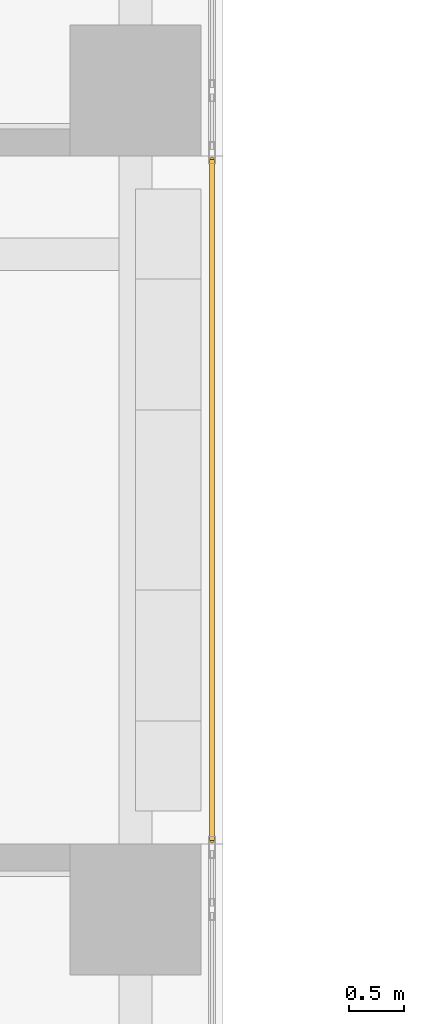
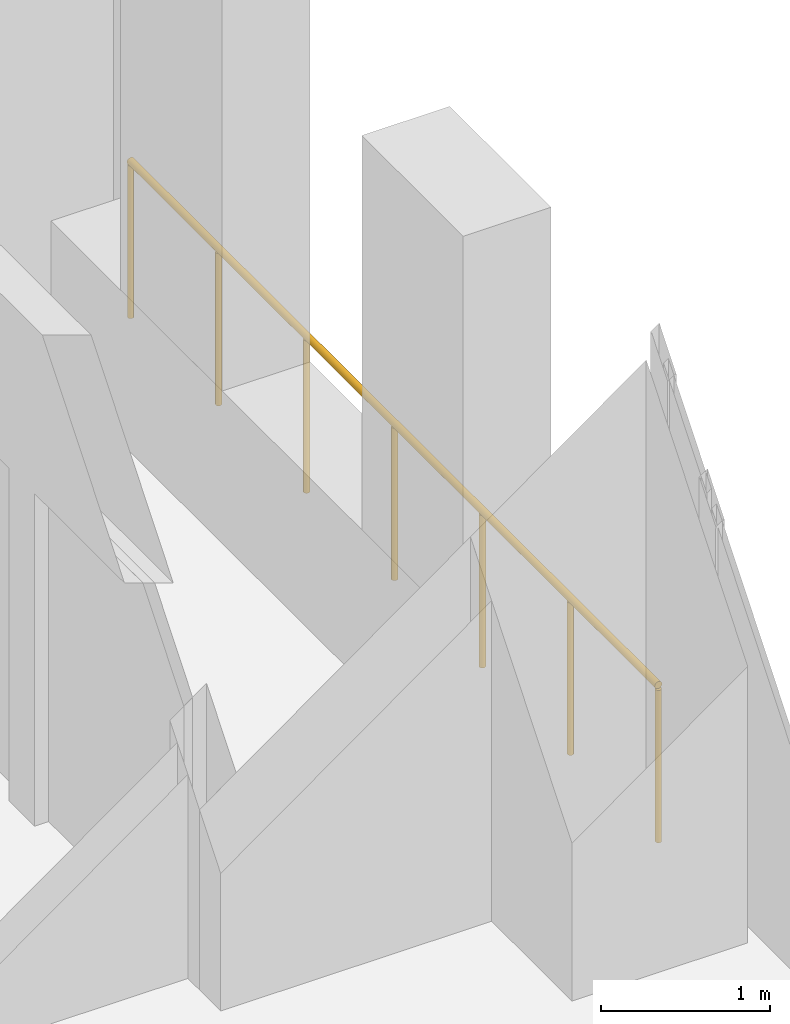
# One storey, part 31 of 32: 1 railing.
"""IFC4 building model written with IfcOpenShell, lengths in metres."""

from ifc_helpers import new_model, si_unit, direction, frame, origin, origin_2d, place, context, subcontext, project, spatial, circle, extrude, source, transform, mapped, material, type_object, element, save


model = new_model("IFC4")

# Units and contexts
model_context = context("Model", 3, precision=1e-05, world=origin(), true_north=direction((0.0, 1.0)))
body_context = subcontext(model_context, "Body", "Model", "MODEL_VIEW")
ifc_project = project(units=[si_unit("LENGTHUNIT", "METRE"), si_unit("AREAUNIT", "SQUARE_METRE"), si_unit("VOLUMEUNIT", "CUBIC_METRE"), si_unit("PLANEANGLEUNIT", "RADIAN"), si_unit("MASSUNIT", "GRAM", prefix="KILO")], contexts=[model_context])

# Site, building, storey
site_placement = place(None, origin())
site = spatial("IfcSite", under=ifc_project, at=site_placement, CompositionType="ELEMENT")
building_placement = place(site_placement, origin())
building = spatial("IfcBuilding", under=site, at=building_placement, Name="Khomas Fold Tower", CompositionType="ELEMENT")
storey_placement = place(building_placement, frame((0.0, 0.0, 64.5)))
storey = spatial("IfcBuildingStorey", under=building, at=storey_placement, Name="L13", CompositionType="ELEMENT", Elevation=64.5)

# Railing
ifc_material = material(Name="Powder-coated steel", Category="steel")
railing_type = type_object("IfcRailingType", Name="Balcony guard", PredefinedType="GUARDRAIL", material=ifc_material)
shared_shape = source(origin(), body_context, "Body", "SweptSolid", [
    extrude(circle(Radius=0.02490234375, at=origin_2d()), frame((0.0, 0.0, 1.125), z_axis=(0.0, 1.0, 0.0), x_axis=(-1.0, 0.0, 0.0)), (0.0, 0.0, 1.0), 6.240234375),
    extrude(circle(Radius=0.02001953125, at=origin_2d()), origin(), (0.0, 0.0, 1.0), 1.099853515625),
    extrude(circle(Radius=0.02001953125, at=origin_2d()), frame((0.0, 1.0400390625, 0.0)), (0.0, 0.0, 1.0), 1.099853515625),
    extrude(circle(Radius=0.02001953125, at=origin_2d()), frame((0.0, 2.080078125, 0.0)), (0.0, 0.0, 1.0), 1.099853515625),
    extrude(circle(Radius=0.02001953125, at=origin_2d()), frame((0.0, 3.1201171875, 0.0)), (0.0, 0.0, 1.0), 1.099853515625),
    extrude(circle(Radius=0.02001953125, at=origin_2d()), frame((0.0, 4.16015625, 0.0)), (0.0, 0.0, 1.0), 1.099853515625),
    extrude(circle(Radius=0.02001953125, at=origin_2d()), frame((0.0, 5.2001953125, 0.0)), (0.0, 0.0, 1.0), 1.099853515625),
    extrude(circle(Radius=0.02001953125, at=origin_2d()), frame((0.0, 6.240234375, 0.0)), (0.0, 0.0, 1.0), 1.099853515625),
])
railing_placement = place(storey_placement, frame((53.89990234375, 35.1298828125, -0.044921875)))
element("IfcRailing", 1, at=railing_placement, inside=storey, type_object=railing_type, Name="Balcony guard BAL-L13-E4", PredefinedType="GUARDRAIL", context=body_context, shape_type="MappedRepresentation", body=[
    mapped(shared_shape, transform((0.0, 0.0, 0.0))),
])

save(model, "model.ifc")
